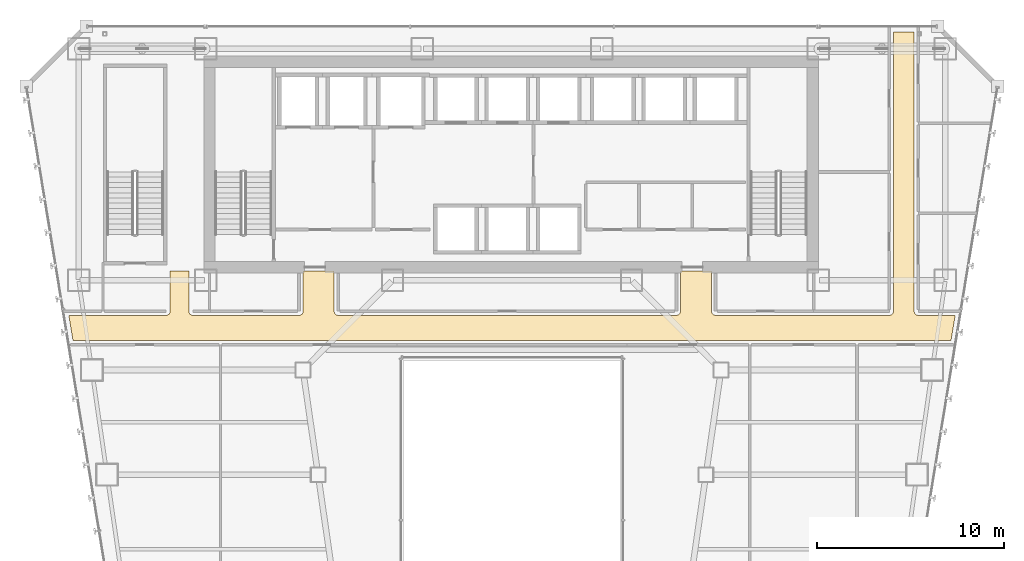
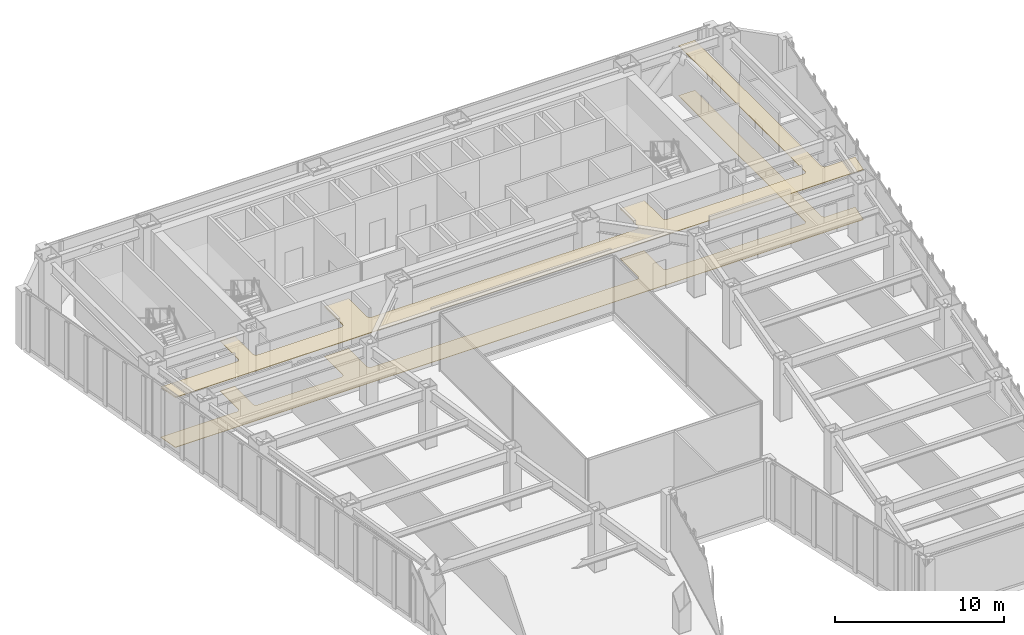
# One storey, part 47 of 49: 2 coverings.
"""IFC4 building model written with IfcOpenShell, lengths in metres."""

from ifc_helpers import new_model, si_unit, direction, frame, origin, place, context, subcontext, project, spatial, polyline, outline, extrude, material, layer, layer_set, type_object, element, save


model = new_model("IFC4")

# Units and contexts
model_context = context("Model", 3, precision=1e-05, world=origin(), true_north=direction((0.0, 1.0)))
body_context = subcontext(model_context, "Body", "Model", "MODEL_VIEW")
ifc_project = project(units=[si_unit("LENGTHUNIT", "METRE"), si_unit("AREAUNIT", "SQUARE_METRE"), si_unit("VOLUMEUNIT", "CUBIC_METRE"), si_unit("PLANEANGLEUNIT", "RADIAN"), si_unit("MASSUNIT", "GRAM", prefix="KILO")], contexts=[model_context])

# Site, building, storey
site_placement = place(None, origin())
site = spatial("IfcSite", under=ifc_project, at=site_placement, CompositionType="ELEMENT")
building_placement = place(site_placement, origin())
building = spatial("IfcBuilding", under=site, at=building_placement, Name="Saevonmaru Cultural Tower", CompositionType="ELEMENT")
storey_placement = place(building_placement, frame((0.0, 0.0, 38.39990234375)))
storey = spatial("IfcBuildingStorey", under=building, at=storey_placement, Name="L07", CompositionType="ELEMENT", Elevation=38.39990234375)

# Coverings
ifc_material_1 = material(Name="Mineral Fibre Acoustic Ceiling", Category="gypsum")
ifc_layer_1 = layer(ifc_material_1, 0.044921875, Name="Mineral Fibre Acoustic Ceiling")
ifc_layer_set_1 = layer_set([ifc_layer_1], Name="Mineral Fibre Acoustic Ceiling")
covering_type_1 = type_object("IfcCoveringType", Name="CV-CEIL-ACOUSTIC", PredefinedType="CEILING", material=ifc_layer_set_1)
covering_1_placement = place(storey_placement, frame((0.0, 0.0, 3.60009765625)))
element("IfcCovering", 1, at=covering_1_placement, inside=storey, type_object=covering_type_1, Name="L07 Corridor Acoustic Ceiling", PredefinedType="CEILING", context=body_context, shape_type="SweptSolid", body=[
    extrude(outline(polyline([(6.4970703125, 39.169921875), (6.27392578125, 40.530029296875), (11.47998046875, 40.530029296875), (11.501953125, 40.531005859375), (11.52294921875, 40.533935546875), (11.5439453125, 40.5390625), (11.56396484375, 40.547119140625), (11.583984375, 40.555908203125), (11.60205078125, 40.56689453125), (11.6201171875, 40.580078125), (11.635986328125, 40.593994140625), (11.64990234375, 40.610107421875), (11.6630859375, 40.6279296875), (11.674072265625, 40.64599609375), (11.68310546875, 40.666015625), (11.69091796875, 40.68603515625), (11.696044921875, 40.70703125), (11.698974609375, 40.72802734375), (11.699951171875, 40.75), (11.699951171875, 42.889892578125), (12.699951171875, 42.889892578125), (12.699951171875, 40.75), (12.700927734375, 40.72802734375), (12.7041015625, 40.70703125), (12.708984375, 40.68603515625), (12.717041015625, 40.666015625), (12.72607421875, 40.64599609375), (12.737060546875, 40.6279296875), (12.75, 40.610107421875), (12.763916015625, 40.593994140625), (12.780029296875, 40.580078125), (12.798095703125, 40.56689453125), (12.81591796875, 40.555908203125), (12.8359375, 40.547119140625), (12.85595703125, 40.5390625), (12.876953125, 40.533935546875), (12.89794921875, 40.531005859375), (12.919921875, 40.530029296875), (18.60009765625, 40.530029296875), (18.6220703125, 40.531005859375), (18.64306640625, 40.533935546875), (18.6640625, 40.5390625), (18.68408203125, 40.547119140625), (18.7041015625, 40.555908203125), (18.721923828125, 40.56689453125), (18.739990234375, 40.580078125), (18.756103515625, 40.593994140625), (18.77001953125, 40.610107421875), (18.782958984375, 40.6279296875), (18.7939453125, 40.64599609375), (18.802978515625, 40.666015625), (18.81103515625, 40.68603515625), (18.81591796875, 40.70703125), (18.819091796875, 40.72802734375), (18.820068359375, 40.75), (18.820068359375, 42.889892578125), (20.47998046875, 42.889892578125), (20.47998046875, 40.75), (20.48095703125, 40.72802734375), (20.48388671875, 40.70703125), (20.489013671875, 40.68603515625), (20.4970703125, 40.666015625), (20.506103515625, 40.64599609375), (20.51708984375, 40.6279296875), (20.530029296875, 40.610107421875), (20.5439453125, 40.593994140625), (20.56005859375, 40.580078125), (20.577880859375, 40.56689453125), (20.595947265625, 40.555908203125), (20.615966796875, 40.547119140625), (20.635986328125, 40.5390625), (20.656982421875, 40.533935546875), (20.677978515625, 40.531005859375), (20.699951171875, 40.530029296875), (38.800048828125, 40.530029296875), (38.822021484375, 40.531005859375), (38.843017578125, 40.533935546875), (38.864013671875, 40.5390625), (38.884033203125, 40.547119140625), (38.904052734375, 40.555908203125), (38.922119140625, 40.56689453125), (38.93994140625, 40.580078125), (38.9560546875, 40.593994140625), (38.969970703125, 40.610107421875), (38.98291015625, 40.6279296875), (38.993896484375, 40.64599609375), (39.0029296875, 40.666015625), (39.010986328125, 40.68603515625), (39.01611328125, 40.70703125), (39.01904296875, 40.72802734375), (39.02001953125, 40.75), (39.02001953125, 42.889892578125), (40.679931640625, 42.889892578125), (40.679931640625, 40.75), (40.680908203125, 40.72802734375), (40.68408203125, 40.70703125), (40.68896484375, 40.68603515625), (40.697021484375, 40.666015625), (40.7060546875, 40.64599609375), (40.717041015625, 40.6279296875), (40.72998046875, 40.610107421875), (40.743896484375, 40.593994140625), (40.760009765625, 40.580078125), (40.778076171875, 40.56689453125), (40.7958984375, 40.555908203125), (40.81591796875, 40.547119140625), (40.8359375, 40.5390625), (40.85693359375, 40.533935546875), (40.8779296875, 40.531005859375), (40.89990234375, 40.530029296875), (50.199951171875, 40.530029296875), (50.221923828125, 40.531005859375), (50.242919921875, 40.533935546875), (50.263916015625, 40.5390625), (50.283935546875, 40.547119140625), (50.303955078125, 40.555908203125), (50.322021484375, 40.56689453125), (50.340087890625, 40.580078125), (50.35595703125, 40.593994140625), (50.3701171875, 40.610107421875), (50.383056640625, 40.6279296875), (50.39404296875, 40.64599609375), (50.403076171875, 40.666015625), (50.410888671875, 40.68603515625), (50.416015625, 40.70703125), (50.4189453125, 40.72802734375), (50.419921875, 40.75), (50.419921875, 55.699951171875), (51.530029296875, 55.699951171875), (51.530029296875, 40.75), (51.531005859375, 40.72802734375), (51.533935546875, 40.70703125), (51.5390625, 40.68603515625), (51.547119140625, 40.666015625), (51.555908203125, 40.64599609375), (51.56689453125, 40.6279296875), (51.580078125, 40.610107421875), (51.593994140625, 40.593994140625), (51.610107421875, 40.580078125), (51.6279296875, 40.56689453125), (51.64599609375, 40.555908203125), (51.666015625, 40.547119140625), (51.68603515625, 40.5390625), (51.70703125, 40.533935546875), (51.72802734375, 40.531005859375), (51.75, 40.530029296875), (53.72607421875, 40.530029296875), (53.5029296875, 39.169921875), (6.4970703125, 39.169921875)])), origin(), (0.0, 0.0, 1.0), 0.044921875),
])
ifc_material_2 = material(Name="Honed Granite Terrazzo", Category="masonry")
ifc_layer_2 = layer(ifc_material_2, 0.030029296875, Name="Honed Granite Terrazzo")
ifc_layer_set_2 = layer_set([ifc_layer_2], Name="Honed Granite Terrazzo")
covering_type_2 = type_object("IfcCoveringType", Name="CV-FLR-TERRAZZO", PredefinedType="FLOORING", material=ifc_layer_set_2)
covering_2_placement = place(storey_placement, origin())
element("IfcCovering", 2, at=covering_2_placement, inside=storey, type_object=covering_type_2, Name="L07 Corridor Terrazzo Flooring", PredefinedType="FLOORING", context=body_context, shape_type="SweptSolid", body=[
    extrude(outline(polyline([(6.4970703125, 39.169921875), (6.27392578125, 40.530029296875), (11.47998046875, 40.530029296875), (11.501953125, 40.531005859375), (11.52294921875, 40.533935546875), (11.5439453125, 40.5390625), (11.56396484375, 40.547119140625), (11.583984375, 40.555908203125), (11.60205078125, 40.56689453125), (11.6201171875, 40.580078125), (11.635986328125, 40.593994140625), (11.64990234375, 40.610107421875), (11.6630859375, 40.6279296875), (11.674072265625, 40.64599609375), (11.68310546875, 40.666015625), (11.69091796875, 40.68603515625), (11.696044921875, 40.70703125), (11.698974609375, 40.72802734375), (11.699951171875, 40.75), (11.699951171875, 42.889892578125), (12.699951171875, 42.889892578125), (12.699951171875, 40.75), (12.700927734375, 40.72802734375), (12.7041015625, 40.70703125), (12.708984375, 40.68603515625), (12.717041015625, 40.666015625), (12.72607421875, 40.64599609375), (12.737060546875, 40.6279296875), (12.75, 40.610107421875), (12.763916015625, 40.593994140625), (12.780029296875, 40.580078125), (12.798095703125, 40.56689453125), (12.81591796875, 40.555908203125), (12.8359375, 40.547119140625), (12.85595703125, 40.5390625), (12.876953125, 40.533935546875), (12.89794921875, 40.531005859375), (12.919921875, 40.530029296875), (18.60009765625, 40.530029296875), (18.6220703125, 40.531005859375), (18.64306640625, 40.533935546875), (18.6640625, 40.5390625), (18.68408203125, 40.547119140625), (18.7041015625, 40.555908203125), (18.721923828125, 40.56689453125), (18.739990234375, 40.580078125), (18.756103515625, 40.593994140625), (18.77001953125, 40.610107421875), (18.782958984375, 40.6279296875), (18.7939453125, 40.64599609375), (18.802978515625, 40.666015625), (18.81103515625, 40.68603515625), (18.81591796875, 40.70703125), (18.819091796875, 40.72802734375), (18.820068359375, 40.75), (18.820068359375, 42.889892578125), (20.47998046875, 42.889892578125), (20.47998046875, 40.75), (20.48095703125, 40.72802734375), (20.48388671875, 40.70703125), (20.489013671875, 40.68603515625), (20.4970703125, 40.666015625), (20.506103515625, 40.64599609375), (20.51708984375, 40.6279296875), (20.530029296875, 40.610107421875), (20.5439453125, 40.593994140625), (20.56005859375, 40.580078125), (20.577880859375, 40.56689453125), (20.595947265625, 40.555908203125), (20.615966796875, 40.547119140625), (20.635986328125, 40.5390625), (20.656982421875, 40.533935546875), (20.677978515625, 40.531005859375), (20.699951171875, 40.530029296875), (38.800048828125, 40.530029296875), (38.822021484375, 40.531005859375), (38.843017578125, 40.533935546875), (38.864013671875, 40.5390625), (38.884033203125, 40.547119140625), (38.904052734375, 40.555908203125), (38.922119140625, 40.56689453125), (38.93994140625, 40.580078125), (38.9560546875, 40.593994140625), (38.969970703125, 40.610107421875), (38.98291015625, 40.6279296875), (38.993896484375, 40.64599609375), (39.0029296875, 40.666015625), (39.010986328125, 40.68603515625), (39.01611328125, 40.70703125), (39.01904296875, 40.72802734375), (39.02001953125, 40.75), (39.02001953125, 42.889892578125), (40.679931640625, 42.889892578125), (40.679931640625, 40.75), (40.680908203125, 40.72802734375), (40.68408203125, 40.70703125), (40.68896484375, 40.68603515625), (40.697021484375, 40.666015625), (40.7060546875, 40.64599609375), (40.717041015625, 40.6279296875), (40.72998046875, 40.610107421875), (40.743896484375, 40.593994140625), (40.760009765625, 40.580078125), (40.778076171875, 40.56689453125), (40.7958984375, 40.555908203125), (40.81591796875, 40.547119140625), (40.8359375, 40.5390625), (40.85693359375, 40.533935546875), (40.8779296875, 40.531005859375), (40.89990234375, 40.530029296875), (50.199951171875, 40.530029296875), (50.221923828125, 40.531005859375), (50.242919921875, 40.533935546875), (50.263916015625, 40.5390625), (50.283935546875, 40.547119140625), (50.303955078125, 40.555908203125), (50.322021484375, 40.56689453125), (50.340087890625, 40.580078125), (50.35595703125, 40.593994140625), (50.3701171875, 40.610107421875), (50.383056640625, 40.6279296875), (50.39404296875, 40.64599609375), (50.403076171875, 40.666015625), (50.410888671875, 40.68603515625), (50.416015625, 40.70703125), (50.4189453125, 40.72802734375), (50.419921875, 40.75), (50.419921875, 55.699951171875), (51.530029296875, 55.699951171875), (51.530029296875, 40.75), (51.531005859375, 40.72802734375), (51.533935546875, 40.70703125), (51.5390625, 40.68603515625), (51.547119140625, 40.666015625), (51.555908203125, 40.64599609375), (51.56689453125, 40.6279296875), (51.580078125, 40.610107421875), (51.593994140625, 40.593994140625), (51.610107421875, 40.580078125), (51.6279296875, 40.56689453125), (51.64599609375, 40.555908203125), (51.666015625, 40.547119140625), (51.68603515625, 40.5390625), (51.70703125, 40.533935546875), (51.72802734375, 40.531005859375), (51.75, 40.530029296875), (53.72607421875, 40.530029296875), (53.5029296875, 39.169921875), (6.4970703125, 39.169921875)])), origin(), (0.0, 0.0, 1.0), 0.030029296875),
])

save(model, "model.ifc")
